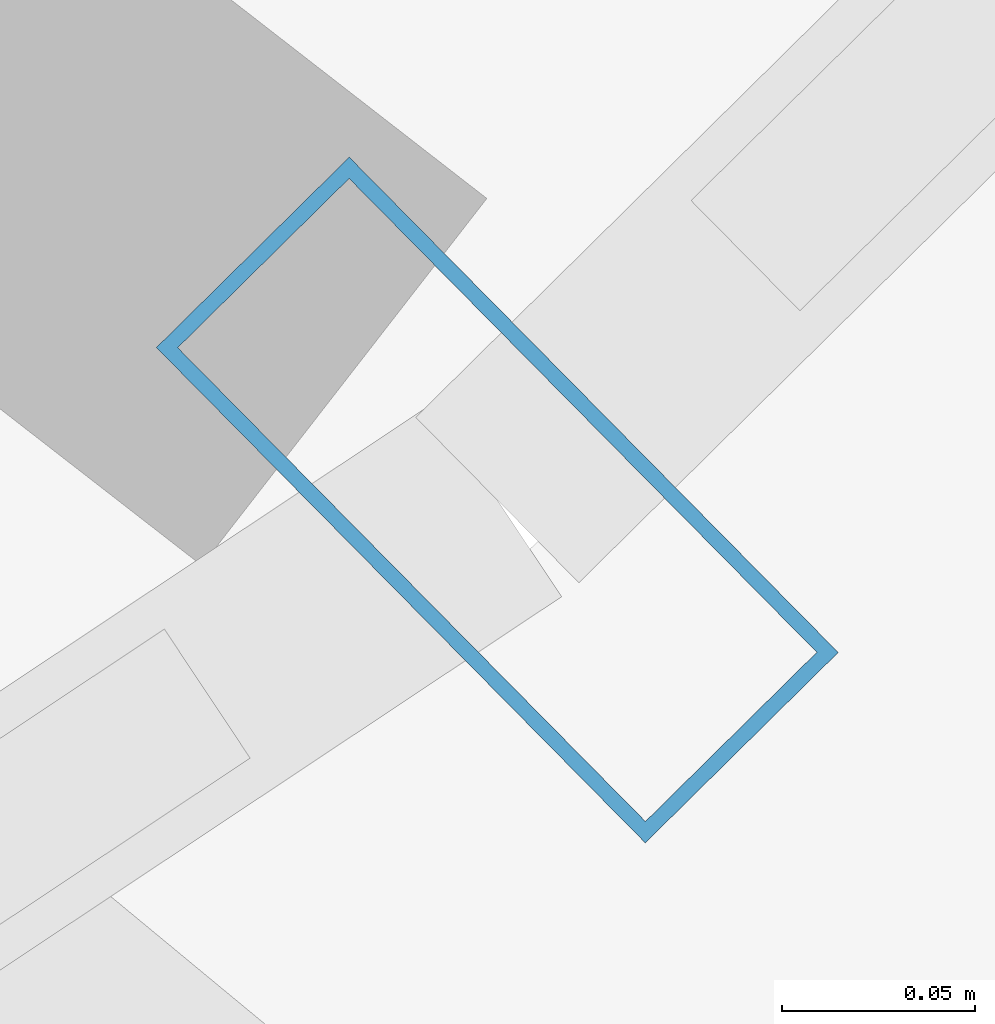
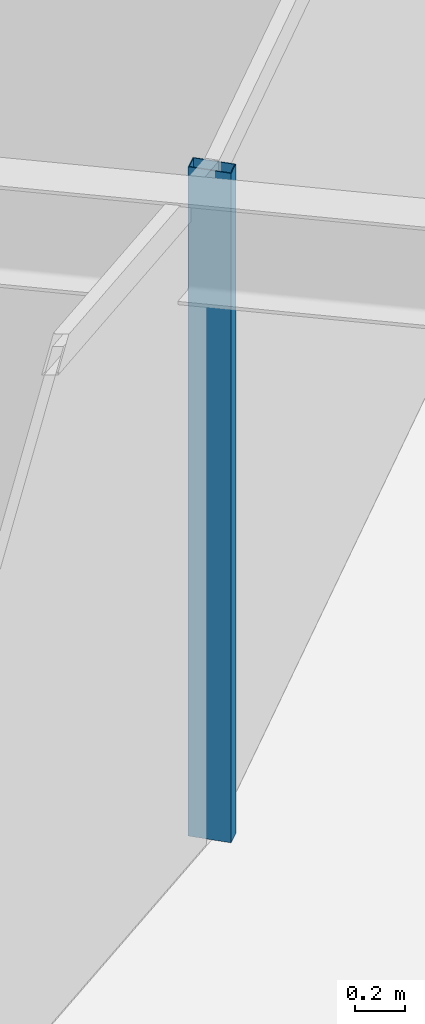
# One storey, part 10 of 21: 1 member, 1 element without a shape of its own.
"""IFC4 building model written with IfcOpenShell, lengths in metres."""

from ifc_helpers import new_model, si_unit, direction, frame, origin, origin_2d, place, context, subcontext, project, spatial, hollow_rectangle, extrude, material, layer, layer_set, material_profile, profile_set, type_object, element, aggregate, save


model = new_model("IFC4")

# Units and contexts
model_context = context("Model", 3, precision=1e-05, world=origin(), true_north=direction((0.0, 1.0)))
body_context = subcontext(model_context, "Body", "Model", "MODEL_VIEW")
ifc_project = project(units=[si_unit("LENGTHUNIT", "METRE"), si_unit("AREAUNIT", "SQUARE_METRE"), si_unit("VOLUMEUNIT", "CUBIC_METRE"), si_unit("PLANEANGLEUNIT", "RADIAN"), si_unit("MASSUNIT", "GRAM", prefix="KILO")], contexts=[model_context])

# Site, building, storey
site_placement = place(None, origin())
site = spatial("IfcSite", under=ifc_project, at=site_placement, CompositionType="ELEMENT")
building_placement = place(site_placement, origin())
building = spatial("IfcBuilding", under=site, at=building_placement, Name="Veldorina Hangang Commons", CompositionType="ELEMENT")
storey_placement = place(building_placement, frame((0.0, 0.0, 66.39990234375)))
storey = spatial("IfcBuildingStorey", under=building, at=storey_placement, Name="L16", CompositionType="ELEMENT", Elevation=66.39990234375)

# Curtain wall, member
ifc_material_1 = material(Name="Glass Low-E Triple IGU", Category="glass")
ifc_layer = layer(ifc_material_1, 0.179931640625)
ifc_layer_set = layer_set([ifc_layer], Name="Glass Low-E Triple IGU")
curtain_wall_type = type_object("IfcCurtainWallType", Name="CW-SYS-Z1", PredefinedType="NOTDEFINED", material=ifc_layer_set)
curtain_wall_placement = place(storey_placement, origin())
curtain_wall = element("IfcCurtainWall", 1, at=curtain_wall_placement, inside=storey, type_object=curtain_wall_type, Name="L16 unitised curtain wall CW-L16-R2", PredefinedType="NOTDEFINED")
ifc_material_2 = material(Name="Aluminium Anodized AA6063-T6", Category="aluminium")
ifc_material_profile = material_profile(ifc_material_2, hollow_rectangle(XDim=0.070068359375, YDim=0.179931640625, WallThickness=0.00390625, at=origin_2d()), Name="ALU-RHS-180x70x4")
ifc_profile_set = profile_set([ifc_material_profile], Name="Aluminium Anodized AA6063-T6")
member_type = type_object("IfcMemberType", Name="CW-MUL-180", PredefinedType="MULLION", material=ifc_profile_set)
member_placement = place(storey_placement, frame((50.619140625, 8.91650390625, 0.0), z_axis=(0.0, 0.0, 1.0), x_axis=(0.711670563205, 0.702513351807, 0.0)))
member = element("IfcMember", 2, at=member_placement, type_object=member_type, Name="CW-L16-R2 vertical mullion 4", PredefinedType="MULLION", context=body_context, shape_type="SweptSolid", body=[
    extrude(hollow_rectangle(XDim=0.070068359375, YDim=0.179931640625, WallThickness=0.00390625, at=origin_2d()), origin(), (0.0, 0.0, 1.0), 3.300048828125),
])
aggregate(curtain_wall, [member])

save(model, "model.ifc")
